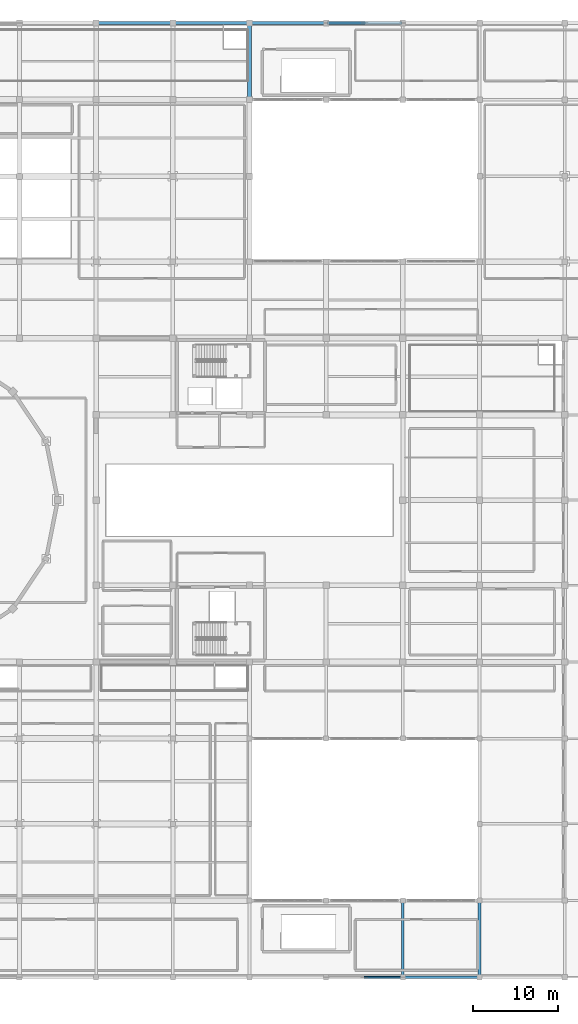
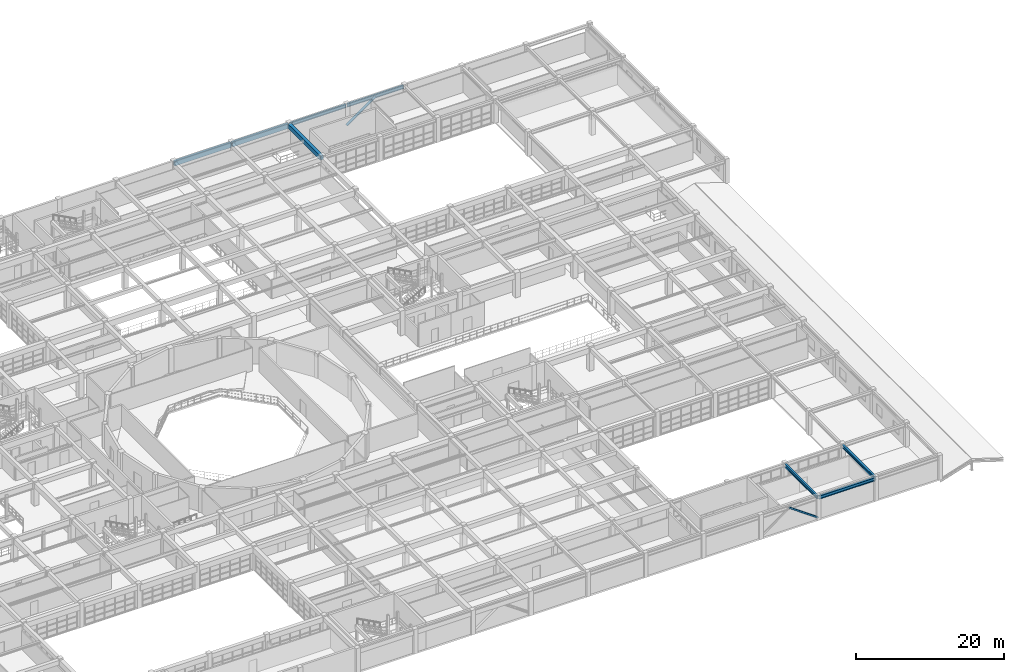
# One storey, part 75 of 130: 8 beams, 2 members.
"""IFC4 building model written with IfcOpenShell, lengths in metres."""

from ifc_helpers import new_model, si_unit, direction, frame, origin, origin_2d, place, context, subcontext, project, spatial, rectangle, hollow_rectangle, hollow_circle, i_section, extrude, material, material_profile, profile_set, type_object, element, save


model = new_model("IFC4")

# Units and contexts
model_context = context("Model", 3, precision=1e-05, world=origin(), true_north=direction((0.0, 1.0)))
body_context = subcontext(model_context, "Body", "Model", "MODEL_VIEW")
ifc_project = project(units=[si_unit("LENGTHUNIT", "METRE"), si_unit("AREAUNIT", "SQUARE_METRE"), si_unit("VOLUMEUNIT", "CUBIC_METRE"), si_unit("PLANEANGLEUNIT", "RADIAN"), si_unit("MASSUNIT", "GRAM", prefix="KILO")], contexts=[model_context])

# Site, building, storey
site_placement = place(None, origin())
site = spatial("IfcSite", under=ifc_project, at=site_placement, CompositionType="ELEMENT")
building_placement = place(site_placement, origin())
building = spatial("IfcBuilding", under=site, at=building_placement, Name="Miravela Opera House", CompositionType="ELEMENT")
storey_placement = place(building_placement, frame((0.0, 0.0, 9.52001953125)))
storey = spatial("IfcBuildingStorey", under=building, at=storey_placement, Name="L02", CompositionType="ELEMENT", Elevation=9.52001953125)

# Beams
ifc_material_1 = material(Name="Concrete C35/45", Category="concrete")
ifc_material_profile_1 = material_profile(ifc_material_1, rectangle(XDim=0.5, YDim=0.699951171875, at=origin_2d()), Name="RC-BM-500X700")
ifc_profile_set_1 = profile_set([ifc_material_profile_1])
beam_type_1 = type_object("IfcBeamType", Name="STR-BM-RC500X700", PredefinedType="BEAM", material=ifc_profile_set_1)
beam_placement = place(storey_placement, frame((117.0, 103.080078125, 3.489990234375), z_axis=(0.0, 1.0, 0.0), x_axis=(-1.0, 0.0, 0.0)))
element("IfcBeam", 1, at=beam_placement, inside=storey, type_object=beam_type_1, Name="Floor Girder L02 14/L-M", PredefinedType="BEAM", context=body_context, shape_type="SweptSolid", body=[
    extrude(rectangle(XDim=0.5, YDim=0.699951171875, at=origin_2d()), origin(), (0.0, 0.0, 1.0), 8.83984375),
])
ifc_material_2 = material(Name="Structural steel ASTM A992 Gr. 50", Category="steel")
ifc_material_profile_2 = material_profile(ifc_material_2, i_section(OverallWidth=0.31201171875, OverallDepth=0.54296875, WebThickness=0.0126953125, FlangeThickness=0.020263671875, FilletRadius=0.01611328125, at=origin_2d()), Name="W530X150")
ifc_profile_set_2 = profile_set([ifc_material_profile_2])
beam_type_2 = type_object("IfcBeamType", Name="STR-BM-W530X150", PredefinedType="BEAM", material=ifc_profile_set_2)
for number, where, z_axis, x_axis, name in (
    (2, (135.080078125, 0.0, 3.568359375), (1.0, 0.0, 0.0), (0.0, 1.0, 0.0), "Roof Eave Girder ROOF-V4-SE S6"),
    (3, (135.0, 0.080078125, 3.568359375), (0.0, 1.0, 0.0), (-1.0, 0.0, 0.0), "Roof King-Post Transverse Tie Girder ROOF-V4-SE T5.1"),
    (4, (144.0, 0.080078125, 3.568359375), (0.0, 1.0, 0.0), (-1.0, 0.0, 0.0), "Roof King-Post Transverse Tie Girder ROOF-V4-SE T6.1"),
    (5, (117.080078125, 112.0, 3.568359375), (1.0, 0.0, 0.0), (0.0, 1.0, 0.0), "Roof Eave Girder ROOF-V3-NE N1"),
    (6, (126.080078125, 112.0, 3.568359375), (1.0, 0.0, 0.0), (0.0, 1.0, 0.0), "Roof Eave Girder ROOF-V3-NE N2"),
):
    element("IfcBeam", number, at=place(storey_placement, frame(where, z_axis=z_axis, x_axis=x_axis)), inside=storey, type_object=beam_type_2, Name=name, PredefinedType="BEAM", context=body_context, shape_type="SweptSolid", body=[
        extrude(i_section(OverallWidth=0.31201171875, OverallDepth=0.54296875, WebThickness=0.0126953125, FlangeThickness=0.020263671875, FilletRadius=0.01611328125, at=origin_2d()), origin(), (0.0, 0.0, 1.0), 8.83984375),
    ])

# Members
ifc_material_3 = material(Name="Hollow structural steel ASTM A500 Gr. C", Category="steel")
ifc_material_profile_3 = material_profile(ifc_material_3, hollow_circle(Radius=0.203125, WallThickness=0.011962890625, at=origin_2d()), Name="CHS406X12")
ifc_profile_set_3 = profile_set([ifc_material_profile_3])
member_type_1 = type_object("IfcMemberType", Name="STR-MEM-BRACE-CHS406", PredefinedType="BRACE", material=ifc_profile_set_3)
member_1_placement = place(storey_placement, frame((126.0, 112.0, 0.300048828125), z_axis=(0.81581566002, 0.0, 0.57831203417), x_axis=(0.0, 1.0, 0.0)))
element("IfcMember", 7, at=member_1_placement, inside=storey, type_object=member_type_1, Name="Concentric Braced Frame BF-N3 L02 Left Brace", PredefinedType="BRACE", context=body_context, shape_type="SweptSolid", body=[
    extrude(hollow_circle(Radius=0.203125, WallThickness=0.011962890625, at=origin_2d()), origin(), (0.0, 0.0, 1.0), 5.515869140625),
])
ifc_material_profile_4 = material_profile(ifc_material_3, hollow_rectangle(XDim=0.25, YDim=0.25, WallThickness=0.011962890625, InnerFilletRadius=0.011962890625, OuterFilletRadius=0.02392578125, at=origin_2d()), Name="HSS250X250X12")
ifc_profile_set_4 = profile_set([ifc_material_profile_4])
member_type_2 = type_object("IfcMemberType", Name="STR-MEM-FRAME-BR1", PredefinedType="BRACE", material=ifc_profile_set_4)
member_2_placement = place(storey_placement, frame((135.0, 0.0, 0.300048828125), z_axis=(-0.81581566002, 0.0, 0.57831203417), x_axis=(0.0, -1.0, 0.0)))
element("IfcMember", 8, at=member_2_placement, inside=storey, type_object=member_type_2, Name="Concentric Braced Frame BF-S3 L02 Right Brace", PredefinedType="BRACE", context=body_context, shape_type="SweptSolid", body=[
    extrude(hollow_rectangle(XDim=0.25, YDim=0.25, WallThickness=0.011962890625, InnerFilletRadius=0.011962890625, OuterFilletRadius=0.02392578125, at=origin_2d()), origin(), (0.0, 0.0, 1.0), 5.515869140625),
])

# Beams
ifc_material_profile_5 = material_profile(ifc_material_1, rectangle(XDim=0.39990234375, YDim=0.75, at=origin_2d()), Name="RC-SPN-400X750")
ifc_profile_set_5 = profile_set([ifc_material_profile_5])
beam_type_3 = type_object("IfcBeamType", Name="STR-SPN-RC400X750", PredefinedType="SPANDREL", material=ifc_profile_set_5)
for number, where, z_axis, x_axis, name in (
    (9, (99.080078125, 112.0, 3.465087890625), (1.0, 0.0, 0.0), (0.0, 1.0, 0.0), "Floor Girder L02 12-13/M"),
    (10, (108.080078125, 112.0, 3.465087890625), (1.0, 0.0, 0.0), (0.0, 1.0, 0.0), "Floor Girder L02 13-14/M"),
):
    element("IfcBeam", number, at=place(storey_placement, frame(where, z_axis=z_axis, x_axis=x_axis)), inside=storey, type_object=beam_type_3, Name=name, PredefinedType="SPANDREL", context=body_context, shape_type="SweptSolid", body=[
        extrude(rectangle(XDim=0.39990234375, YDim=0.75, at=origin_2d()), origin(), (0.0, 0.0, 1.0), 8.83984375),
    ])

save(model, "model.ifc")
